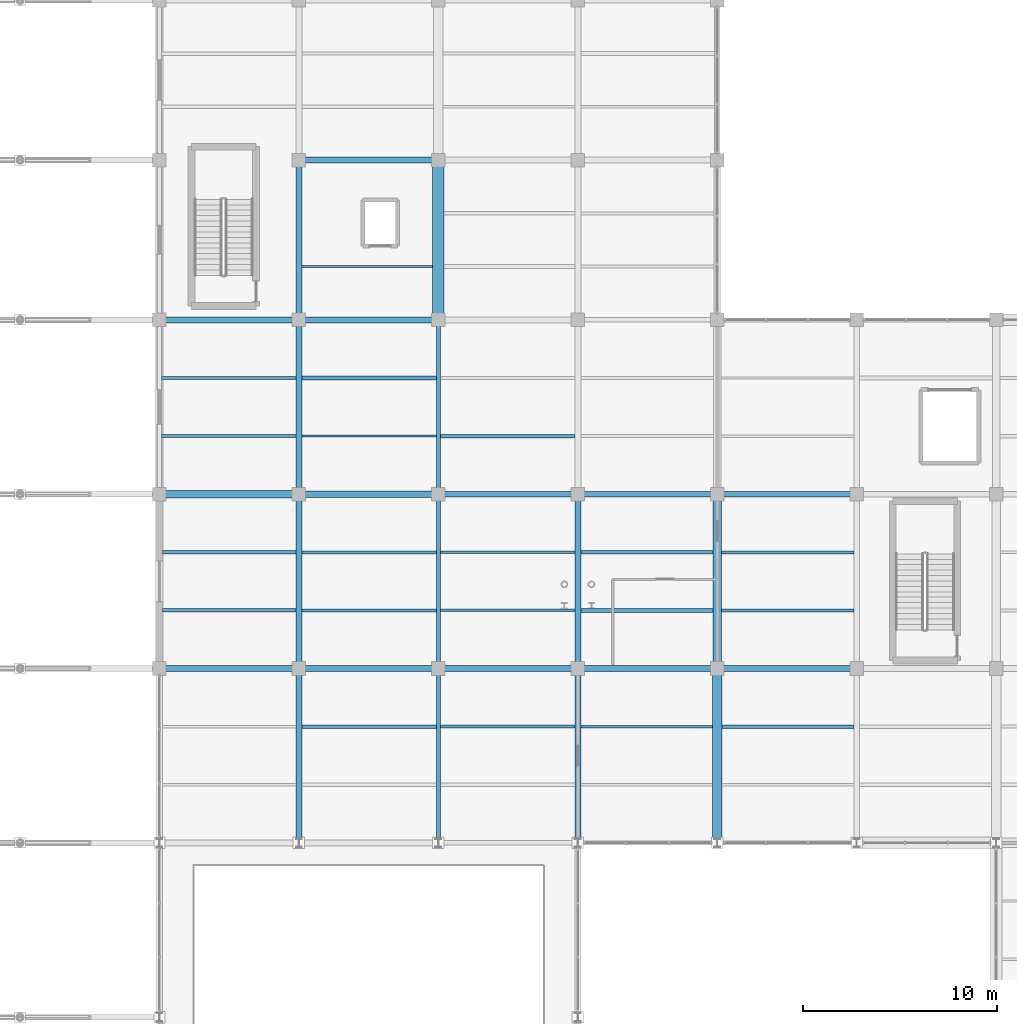
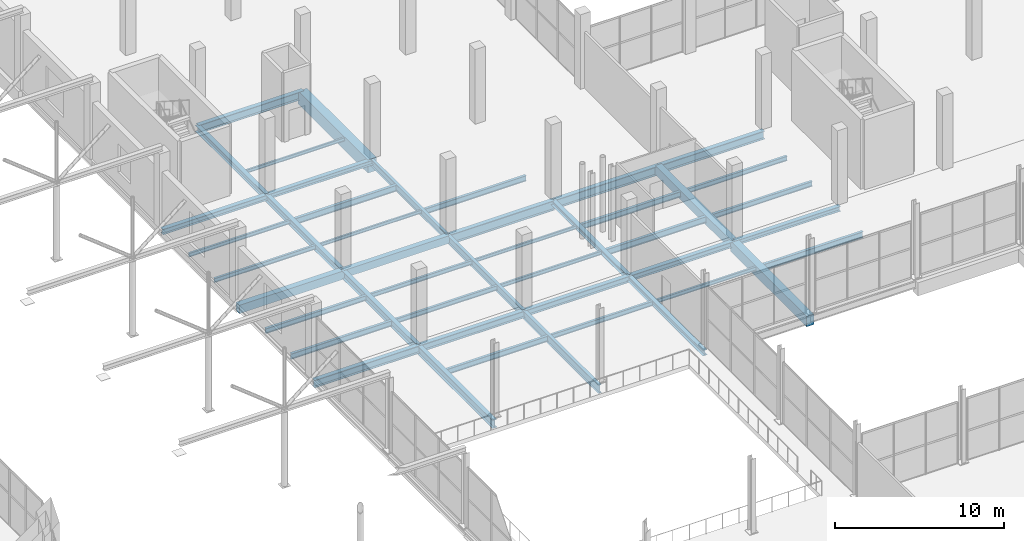
# One storey, part 63 of 147: 45 beams.
"""IFC4 building model written with IfcOpenShell, lengths in metres."""

from ifc_helpers import new_model, si_unit, direction, frame, origin, origin_2d, place, context, subcontext, project, spatial, rectangle, i_section, extrude, material, material_profile, profile_set, type_object, element, save


model = new_model("IFC4")

# Units and contexts
model_context = context("Model", 3, precision=1e-05, world=origin(), true_north=direction((0.0, 1.0)))
body_context = subcontext(model_context, "Body", "Model", "MODEL_VIEW")
ifc_project = project(units=[si_unit("LENGTHUNIT", "METRE"), si_unit("AREAUNIT", "SQUARE_METRE"), si_unit("VOLUMEUNIT", "CUBIC_METRE"), si_unit("PLANEANGLEUNIT", "RADIAN"), si_unit("MASSUNIT", "GRAM", prefix="KILO")], contexts=[model_context])

# Site, building, storey
site_placement = place(None, origin())
site = spatial("IfcSite", under=ifc_project, at=site_placement, CompositionType="ELEMENT")
building_placement = place(site_placement, origin())
building = spatial("IfcBuilding", under=site, at=building_placement, Name="Sundgate Opera House", CompositionType="ELEMENT")
storey_placement = place(building_placement, frame((0.0, 0.0, 6.0)))
storey = spatial("IfcBuildingStorey", under=building, at=storey_placement, Name="L01", CompositionType="ELEMENT", Elevation=6.0)

# Beams
ifc_material_1 = material(Name="Steel S355J2", Category="steel")
ifc_material_profile_1 = material_profile(ifc_material_1, i_section(OverallWidth=0.300048828125, OverallDepth=0.35009765625, WebThickness=0.010009765625, FlangeThickness=0.017578125, at=origin_2d()), Name="HEA 360")
ifc_profile_set_1 = profile_set([ifc_material_profile_1], Name="Steel S355J2")
beam_type_1 = type_object("IfcBeamType", Name="BM-GR-HEA360", PredefinedType="BEAM", material=ifc_profile_set_1)
beam_1_placement = place(storey_placement, frame((102.60009765625, 87.0, -0.47509765625), z_axis=(1.0, 0.0, 0.0), x_axis=(0.0, 1.0, 0.0)))
element("IfcBeam", 1, at=beam_1_placement, inside=storey, type_object=beam_type_1, Name="L01 Primary E-W Girder B1392", PredefinedType="BEAM", context=body_context, shape_type="SweptSolid", body=[
    extrude(i_section(OverallWidth=0.300048828125, OverallDepth=0.35009765625, WebThickness=0.010009765625, FlangeThickness=0.017578125, at=origin_2d()), origin(), (0.0, 0.0, 1.0), 7.199951171875),
])
ifc_material_2 = material(Name="Steel S355J2", Category="steel")
ifc_material_profile_2 = material_profile(ifc_material_2, i_section(OverallWidth=0.300048828125, OverallDepth=0.389892578125, WebThickness=0.010986328125, FlangeThickness=0.01904296875, at=origin_2d()), Name="HEA 400")
ifc_profile_set_2 = profile_set([ifc_material_profile_2], Name="Steel S355J2")
beam_type_2 = type_object("IfcBeamType", Name="BM-GR-HEA400", PredefinedType="BEAM", material=ifc_profile_set_2)
beam_2_placement = place(storey_placement, frame((95.39990234375, 87.0, -0.4951171875), z_axis=(1.0, 0.0, 0.0), x_axis=(0.0, 1.0, 0.0)))
element("IfcBeam", 2, at=beam_2_placement, inside=storey, type_object=beam_type_2, Name="L01 Primary E-W Girder B1391", PredefinedType="BEAM", context=body_context, shape_type="SweptSolid", body=[
    extrude(i_section(OverallWidth=0.300048828125, OverallDepth=0.389892578125, WebThickness=0.010986328125, FlangeThickness=0.01904296875, at=origin_2d()), origin(), (0.0, 0.0, 1.0), 7.2001953125),
])
ifc_material_3 = material(Name="Steel S355J2", Category="steel")
ifc_material_profile_3 = material_profile(ifc_material_3, i_section(OverallWidth=0.300048828125, OverallDepth=0.590087890625, WebThickness=0.012939453125, FlangeThickness=0.02490234375, at=origin_2d()), Name="HEA 600")
ifc_profile_set_3 = profile_set([ifc_material_profile_3], Name="Steel S355J2")
beam_type_3 = type_object("IfcBeamType", Name="BM-GR-HEA600", PredefinedType="BEAM", material=ifc_profile_set_3)
beam_3_placement = place(storey_placement, frame((102.60009765625, 95.25, -0.594970703125), z_axis=(1.0, 0.0, 0.0), x_axis=(0.0, 1.0, 0.0)))
element("IfcBeam", 3, at=beam_3_placement, inside=storey, type_object=beam_type_3, Name="L01 Primary E-W Girder B1410", PredefinedType="BEAM", context=body_context, shape_type="SweptSolid", body=[
    extrude(i_section(OverallWidth=0.300048828125, OverallDepth=0.590087890625, WebThickness=0.012939453125, FlangeThickness=0.02490234375, at=origin_2d()), origin(), (0.0, 0.0, 1.0), 7.199951171875),
])
ifc_material_4 = material(Name="Steel S355J2", Category="steel")
ifc_material_profile_4 = material_profile(ifc_material_4, i_section(OverallWidth=0.300048828125, OverallDepth=0.360107421875, WebThickness=0.012451171875, FlangeThickness=0.0224609375, at=origin_2d()), Name="HEB 360")
ifc_profile_set_4 = profile_set([ifc_material_profile_4], Name="Steel S355J2")
beam_type_4 = type_object("IfcBeamType", Name="BM-GR-HEB360", PredefinedType="BEAM", material=ifc_profile_set_4)
beam_4_placement = place(storey_placement, frame((117.0, 69.0, -0.47998046875), z_axis=(0.0, 1.0, 0.0), x_axis=(-1.0, 0.0, 0.0)))
element("IfcBeam", 4, at=beam_4_placement, inside=storey, type_object=beam_type_4, Name="L01 Primary N-S Girder B1189", PredefinedType="BEAM", context=body_context, shape_type="SweptSolid", body=[
    extrude(i_section(OverallWidth=0.300048828125, OverallDepth=0.360107421875, WebThickness=0.012451171875, FlangeThickness=0.0224609375, at=origin_2d()), origin(), (0.0, 0.0, 1.0), 9.0),
])
beam_5_placement = place(storey_placement, frame((124.199951171875, 69.0, -0.47998046875), z_axis=(1.0, 0.0, 0.0), x_axis=(0.0, 1.0, 0.0)))
element("IfcBeam", 5, at=beam_5_placement, inside=storey, type_object=beam_type_4, Name="L01 Primary E-W Girder B1365", PredefinedType="BEAM", context=body_context, shape_type="SweptSolid", body=[
    extrude(i_section(OverallWidth=0.300048828125, OverallDepth=0.360107421875, WebThickness=0.012451171875, FlangeThickness=0.0224609375, at=origin_2d()), origin(), (0.0, 0.0, 1.0), 7.199951171875),
])
ifc_material_5 = material(Name="Steel S355J2", Category="steel")
ifc_material_profile_5 = material_profile(ifc_material_5, i_section(OverallWidth=0.300048828125, OverallDepth=0.39990234375, WebThickness=0.013427734375, FlangeThickness=0.02392578125, at=origin_2d()), Name="HEB 400")
ifc_profile_set_5 = profile_set([ifc_material_profile_5], Name="Steel S355J2")
beam_type_5 = type_object("IfcBeamType", Name="BM-GR-HEB400", PredefinedType="BEAM", material=ifc_profile_set_5)
beam_6_placement = place(storey_placement, frame((117.0, 60.0, -0.5), z_axis=(0.0, 1.0, 0.0), x_axis=(-1.0, 0.0, 0.0)))
element("IfcBeam", 6, at=beam_6_placement, inside=storey, type_object=beam_type_5, Name="L01 Primary N-S Girder B1188", PredefinedType="BEAM", context=body_context, shape_type="SweptSolid", body=[
    extrude(i_section(OverallWidth=0.300048828125, OverallDepth=0.39990234375, WebThickness=0.013427734375, FlangeThickness=0.02392578125, at=origin_2d()), origin(), (0.0, 0.0, 1.0), 9.0),
])
beam_7_placement = place(storey_placement, frame((117.0, 69.0, -0.5), z_axis=(1.0, 0.0, 0.0), x_axis=(0.0, 1.0, 0.0)))
element("IfcBeam", 7, at=beam_7_placement, inside=storey, type_object=beam_type_5, Name="L01 Primary E-W Girder B1364", PredefinedType="BEAM", context=body_context, shape_type="SweptSolid", body=[
    extrude(i_section(OverallWidth=0.300048828125, OverallDepth=0.39990234375, WebThickness=0.013427734375, FlangeThickness=0.02392578125, at=origin_2d()), origin(), (0.0, 0.0, 1.0), 7.199951171875),
])
ifc_material_6 = material(Name="Steel S355J2", Category="steel")
ifc_material_profile_6 = material_profile(ifc_material_6, i_section(OverallWidth=0.300048828125, OverallDepth=0.449951171875, WebThickness=0.013916015625, FlangeThickness=0.02587890625, at=origin_2d()), Name="HEB 450")
ifc_profile_set_6 = profile_set([ifc_material_profile_6], Name="Steel S355J2")
beam_type_6 = type_object("IfcBeamType", Name="BM-GR-HEB450", PredefinedType="BEAM", material=ifc_profile_set_6)
beam_8_placement = place(storey_placement, frame((102.60009765625, 87.0, -0.52490234375), z_axis=(0.0, 1.0, 0.0), x_axis=(-1.0, 0.0, 0.0)))
element("IfcBeam", 8, at=beam_8_placement, inside=storey, type_object=beam_type_6, Name="L01 Primary N-S Girder B1165", PredefinedType="BEAM", context=body_context, shape_type="SweptSolid", body=[
    extrude(i_section(OverallWidth=0.300048828125, OverallDepth=0.449951171875, WebThickness=0.013916015625, FlangeThickness=0.02587890625, at=origin_2d()), origin(), (0.0, 0.0, 1.0), 8.25),
])
beam_9_placement = place(storey_placement, frame((109.800048828125, 69.0, -0.52490234375), z_axis=(1.0, 0.0, 0.0), x_axis=(0.0, 1.0, 0.0)))
element("IfcBeam", 9, at=beam_9_placement, inside=storey, type_object=beam_type_6, Name="L01 Primary E-W Girder B1363", PredefinedType="BEAM", context=body_context, shape_type="SweptSolid", body=[
    extrude(i_section(OverallWidth=0.300048828125, OverallDepth=0.449951171875, WebThickness=0.013916015625, FlangeThickness=0.02587890625, at=origin_2d()), origin(), (0.0, 0.0, 1.0), 7.199951171875),
])
ifc_material_7 = material(Name="Steel S355J2", Category="steel")
ifc_material_profile_7 = material_profile(ifc_material_7, i_section(OverallWidth=0.300048828125, OverallDepth=0.5, WebThickness=0.014404296875, FlangeThickness=0.028076171875, at=origin_2d()), Name="HEB 500")
ifc_profile_set_7 = profile_set([ifc_material_profile_7], Name="Steel S355J2")
beam_type_7 = type_object("IfcBeamType", Name="BM-GR-HEB500", PredefinedType="BEAM", material=ifc_profile_set_7)
beam_10_placement = place(storey_placement, frame((102.60009765625, 78.0, -0.550048828125), z_axis=(0.0, 1.0, 0.0), x_axis=(-1.0, 0.0, 0.0)))
element("IfcBeam", 10, at=beam_10_placement, inside=storey, type_object=beam_type_7, Name="L01 Primary N-S Girder B1164", PredefinedType="BEAM", context=body_context, shape_type="SweptSolid", body=[
    extrude(i_section(OverallWidth=0.300048828125, OverallDepth=0.5, WebThickness=0.014404296875, FlangeThickness=0.028076171875, at=origin_2d()), origin(), (0.0, 0.0, 1.0), 9.0),
])
beam_11_placement = place(storey_placement, frame((102.60009765625, 69.0, -0.550048828125), z_axis=(1.0, 0.0, 0.0), x_axis=(0.0, 1.0, 0.0)))
element("IfcBeam", 11, at=beam_11_placement, inside=storey, type_object=beam_type_7, Name="L01 Primary E-W Girder B1362", PredefinedType="BEAM", context=body_context, shape_type="SweptSolid", body=[
    extrude(i_section(OverallWidth=0.300048828125, OverallDepth=0.5, WebThickness=0.014404296875, FlangeThickness=0.028076171875, at=origin_2d()), origin(), (0.0, 0.0, 1.0), 7.199951171875),
])
ifc_material_8 = material(Name="Steel S355J2", Category="steel")
ifc_material_profile_8 = material_profile(ifc_material_8, i_section(OverallWidth=0.300048828125, OverallDepth=0.550048828125, WebThickness=0.014892578125, FlangeThickness=0.029052734375, at=origin_2d()), Name="HEB 550")
ifc_profile_set_8 = profile_set([ifc_material_profile_8], Name="Steel S355J2")
beam_type_8 = type_object("IfcBeamType", Name="BM-GR-HEB550", PredefinedType="BEAM", material=ifc_profile_set_8)
beam_12_placement = place(storey_placement, frame((102.60009765625, 69.0, -0.574951171875), z_axis=(0.0, 1.0, 0.0), x_axis=(-1.0, 0.0, 0.0)))
element("IfcBeam", 12, at=beam_12_placement, inside=storey, type_object=beam_type_8, Name="L01 Primary N-S Girder B1163", PredefinedType="BEAM", context=body_context, shape_type="SweptSolid", body=[
    extrude(i_section(OverallWidth=0.300048828125, OverallDepth=0.550048828125, WebThickness=0.014892578125, FlangeThickness=0.029052734375, at=origin_2d()), origin(), (0.0, 0.0, 1.0), 9.0),
])
beam_13_placement = place(storey_placement, frame((95.39990234375, 69.0, -0.574951171875), z_axis=(1.0, 0.0, 0.0), x_axis=(0.0, 1.0, 0.0)))
element("IfcBeam", 13, at=beam_13_placement, inside=storey, type_object=beam_type_8, Name="L01 Primary E-W Girder B1361", PredefinedType="BEAM", context=body_context, shape_type="SweptSolid", body=[
    extrude(i_section(OverallWidth=0.300048828125, OverallDepth=0.550048828125, WebThickness=0.014892578125, FlangeThickness=0.029052734375, at=origin_2d()), origin(), (0.0, 0.0, 1.0), 7.2001953125),
])
ifc_material_9 = material(Name="Steel S355J2", Category="steel")
ifc_material_profile_9 = material_profile(ifc_material_9, i_section(OverallWidth=0.300048828125, OverallDepth=0.60009765625, WebThickness=0.015380859375, FlangeThickness=0.030029296875, at=origin_2d()), Name="HEB 600")
ifc_profile_set_9 = profile_set([ifc_material_profile_9], Name="Steel S355J2")
beam_type_9 = type_object("IfcBeamType", Name="BM-GR-HEB600", PredefinedType="BEAM", material=ifc_profile_set_9)
beam_14_placement = place(storey_placement, frame((102.60009765625, 60.0, -0.60009765625), z_axis=(0.0, 1.0, 0.0), x_axis=(-1.0, 0.0, 0.0)))
element("IfcBeam", 14, at=beam_14_placement, inside=storey, type_object=beam_type_9, Name="L01 Primary N-S Girder B1162", PredefinedType="BEAM", context=body_context, shape_type="SweptSolid", body=[
    extrude(i_section(OverallWidth=0.300048828125, OverallDepth=0.60009765625, WebThickness=0.015380859375, FlangeThickness=0.030029296875, at=origin_2d()), origin(), (0.0, 0.0, 1.0), 9.0),
])
beam_15_placement = place(storey_placement, frame((124.199951171875, 78.0, -0.60009765625), z_axis=(1.0, 0.0, 0.0), x_axis=(0.0, 1.0, 0.0)))
element("IfcBeam", 15, at=beam_15_placement, inside=storey, type_object=beam_type_9, Name="L01 Primary E-W Girder B1382", PredefinedType="BEAM", context=body_context, shape_type="SweptSolid", body=[
    extrude(i_section(OverallWidth=0.300048828125, OverallDepth=0.60009765625, WebThickness=0.015380859375, FlangeThickness=0.030029296875, at=origin_2d()), origin(), (0.0, 0.0, 1.0), 7.199951171875),
])
ifc_material_10 = material(Name="Steel S355J2", Category="steel")
ifc_material_profile_10 = material_profile(ifc_material_10, i_section(OverallWidth=0.300048828125, OverallDepth=0.64990234375, WebThickness=0.01611328125, FlangeThickness=0.031005859375, at=origin_2d()), Name="HEB 650")
ifc_profile_set_10 = profile_set([ifc_material_profile_10], Name="Steel S355J2")
beam_type_10 = type_object("IfcBeamType", Name="BM-GR-HEB650", PredefinedType="BEAM", material=ifc_profile_set_10)
beam_16_placement = place(storey_placement, frame((117.0, 78.0, -0.625), z_axis=(1.0, 0.0, 0.0), x_axis=(0.0, 1.0, 0.0)))
element("IfcBeam", 16, at=beam_16_placement, inside=storey, type_object=beam_type_10, Name="L01 Primary E-W Girder B1381", PredefinedType="BEAM", context=body_context, shape_type="SweptSolid", body=[
    extrude(i_section(OverallWidth=0.300048828125, OverallDepth=0.64990234375, WebThickness=0.01611328125, FlangeThickness=0.031005859375, at=origin_2d()), origin(), (0.0, 0.0, 1.0), 7.199951171875),
])
ifc_material_11 = material(Name="Steel S355J2", Category="steel")
ifc_material_profile_11 = material_profile(ifc_material_11, i_section(OverallWidth=0.300048828125, OverallDepth=0.699951171875, WebThickness=0.01708984375, FlangeThickness=0.031982421875, at=origin_2d()), Name="HEB 700")
ifc_profile_set_11 = profile_set([ifc_material_profile_11], Name="Steel S355J2")
beam_type_11 = type_object("IfcBeamType", Name="BM-GR-HEB700", PredefinedType="BEAM", material=ifc_profile_set_11)
beam_17_placement = place(storey_placement, frame((109.800048828125, 78.0, -0.64990234375), z_axis=(1.0, 0.0, 0.0), x_axis=(0.0, 1.0, 0.0)))
element("IfcBeam", 17, at=beam_17_placement, inside=storey, type_object=beam_type_11, Name="L01 Primary E-W Girder B1380", PredefinedType="BEAM", context=body_context, shape_type="SweptSolid", body=[
    extrude(i_section(OverallWidth=0.300048828125, OverallDepth=0.699951171875, WebThickness=0.01708984375, FlangeThickness=0.031982421875, at=origin_2d()), origin(), (0.0, 0.0, 1.0), 7.199951171875),
])
ifc_material_12 = material(Name="Steel S355J2", Category="steel")
ifc_material_profile_12 = material_profile(ifc_material_12, i_section(OverallWidth=0.199951171875, OverallDepth=0.5, WebThickness=0.01025390625, FlangeThickness=0.01611328125, at=origin_2d()), Name="IPE 500")
ifc_profile_set_12 = profile_set([ifc_material_profile_12], Name="Steel S355J2")
beam_type_12 = type_object("IfcBeamType", Name="BM-GR-IPE500", PredefinedType="BEAM", material=ifc_profile_set_12)
beam_18_placement = place(storey_placement, frame((109.800048828125, 78.0, -0.550048828125), z_axis=(0.0, 1.0, 0.0), x_axis=(-1.0, 0.0, 0.0)))
element("IfcBeam", 18, at=beam_18_placement, inside=storey, type_object=beam_type_12, Name="L01 Primary N-S Girder B1176", PredefinedType="BEAM", context=body_context, shape_type="SweptSolid", body=[
    extrude(i_section(OverallWidth=0.199951171875, OverallDepth=0.5, WebThickness=0.01025390625, FlangeThickness=0.01611328125, at=origin_2d()), origin(), (0.0, 0.0, 1.0), 9.0),
])
ifc_material_13 = material(Name="Steel S355J2", Category="steel")
ifc_material_profile_13 = material_profile(ifc_material_13, i_section(OverallWidth=0.2099609375, OverallDepth=0.550048828125, WebThickness=0.010986328125, FlangeThickness=0.01708984375, at=origin_2d()), Name="IPE 550")
ifc_profile_set_13 = profile_set([ifc_material_profile_13], Name="Steel S355J2")
beam_type_13 = type_object("IfcBeamType", Name="BM-GR-IPE550", PredefinedType="BEAM", material=ifc_profile_set_13)
beam_19_placement = place(storey_placement, frame((109.800048828125, 69.0, -0.574951171875), z_axis=(0.0, 1.0, 0.0), x_axis=(-1.0, 0.0, 0.0)))
element("IfcBeam", 19, at=beam_19_placement, inside=storey, type_object=beam_type_13, Name="L01 Primary N-S Girder B1175", PredefinedType="BEAM", context=body_context, shape_type="SweptSolid", body=[
    extrude(i_section(OverallWidth=0.2099609375, OverallDepth=0.550048828125, WebThickness=0.010986328125, FlangeThickness=0.01708984375, at=origin_2d()), origin(), (0.0, 0.0, 1.0), 9.0),
])
ifc_material_14 = material(Name="Steel S355J2", Category="steel")
ifc_material_profile_14 = material_profile(ifc_material_14, i_section(OverallWidth=0.219970703125, OverallDepth=0.60009765625, WebThickness=0.011962890625, FlangeThickness=0.01904296875, at=origin_2d()), Name="IPE 600")
ifc_profile_set_14 = profile_set([ifc_material_profile_14], Name="Steel S355J2")
beam_type_14 = type_object("IfcBeamType", Name="BM-GR-IPE600", PredefinedType="BEAM", material=ifc_profile_set_14)
beam_20_placement = place(storey_placement, frame((109.800048828125, 60.0, -0.60009765625), z_axis=(0.0, 1.0, 0.0), x_axis=(-1.0, 0.0, 0.0)))
element("IfcBeam", 20, at=beam_20_placement, inside=storey, type_object=beam_type_14, Name="L01 Primary N-S Girder B1174", PredefinedType="BEAM", context=body_context, shape_type="SweptSolid", body=[
    extrude(i_section(OverallWidth=0.219970703125, OverallDepth=0.60009765625, WebThickness=0.011962890625, FlangeThickness=0.01904296875, at=origin_2d()), origin(), (0.0, 0.0, 1.0), 9.0),
])
ifc_material_15 = material(Name="Steel S355J2", Category="steel")
ifc_material_profile_15 = material_profile(ifc_material_15, i_section(OverallWidth=0.1201171875, OverallDepth=0.239990234375, WebThickness=0.006103515625, FlangeThickness=0.009765625, at=origin_2d()), Name="IPE 240")
ifc_profile_set_15 = profile_set([ifc_material_profile_15], Name="Steel S355J2")
beam_type_15 = type_object("IfcBeamType", Name="BM-JS-IPE240", PredefinedType="JOIST", material=ifc_profile_set_15)
beam_21_placement = place(storey_placement, frame((109.905029296875, 75.0, -0.419921875), z_axis=(1.0, 0.0, 0.0), x_axis=(0.0, 1.0, 0.0)))
element("IfcBeam", 21, at=beam_21_placement, inside=storey, type_object=beam_type_15, Name="L01 Secondary Floor Joist B1623", PredefinedType="JOIST", context=body_context, shape_type="SweptSolid", body=[
    extrude(i_section(OverallWidth=0.1201171875, OverallDepth=0.239990234375, WebThickness=0.006103515625, FlangeThickness=0.009765625, at=origin_2d()), origin(), (0.0, 0.0, 1.0), 6.945068359375),
])
beam_22_placement = place(storey_placement, frame((102.75, 81.0, -0.419921875), z_axis=(1.0, 0.0, 0.0), x_axis=(0.0, 1.0, 0.0)))
element("IfcBeam", 22, at=beam_22_placement, inside=storey, type_object=beam_type_15, Name="L01 Secondary Floor Joist B1644", PredefinedType="JOIST", context=body_context, shape_type="SweptSolid", body=[
    extrude(i_section(OverallWidth=0.1201171875, OverallDepth=0.239990234375, WebThickness=0.006103515625, FlangeThickness=0.009765625, at=origin_2d()), origin(), (0.0, 0.0, 1.0), 6.949951171875),
])
beam_23_placement = place(storey_placement, frame((102.75, 89.75, -0.419921875), z_axis=(1.0, 0.0, 0.0), x_axis=(0.0, 1.0, 0.0)))
element("IfcBeam", 23, at=beam_23_placement, inside=storey, type_object=beam_type_15, Name="L01 Secondary Floor Joist B1665", PredefinedType="JOIST", context=body_context, shape_type="SweptSolid", body=[
    extrude(i_section(OverallWidth=0.1201171875, OverallDepth=0.239990234375, WebThickness=0.006103515625, FlangeThickness=0.009765625, at=origin_2d()), origin(), (0.0, 0.0, 1.0), 6.75),
])
ifc_material_16 = material(Name="Steel S355J2", Category="steel")
ifc_material_profile_16 = material_profile(ifc_material_16, i_section(OverallWidth=0.135009765625, OverallDepth=0.27001953125, WebThickness=0.006591796875, FlangeThickness=0.01025390625, at=origin_2d()), Name="IPE 270")
ifc_profile_set_16 = profile_set([ifc_material_profile_16], Name="Steel S355J2")
beam_type_16 = type_object("IfcBeamType", Name="BM-JS-IPE270", PredefinedType="JOIST", material=ifc_profile_set_16)
beam_24_placement = place(storey_placement, frame((117.14990234375, 66.0, -0.43505859375), z_axis=(1.0, 0.0, 0.0), x_axis=(0.0, 1.0, 0.0)))
element("IfcBeam", 24, at=beam_24_placement, inside=storey, type_object=beam_type_16, Name="L01 Secondary Floor Joist B1601", PredefinedType="JOIST", context=body_context, shape_type="SweptSolid", body=[
    extrude(i_section(OverallWidth=0.135009765625, OverallDepth=0.27001953125, WebThickness=0.006591796875, FlangeThickness=0.01025390625, at=origin_2d()), origin(), (0.0, 0.0, 1.0), 6.800048828125),
])
beam_25_placement = place(storey_placement, frame((109.905029296875, 72.0, -0.43505859375), z_axis=(1.0, 0.0, 0.0), x_axis=(0.0, 1.0, 0.0)))
element("IfcBeam", 25, at=beam_25_placement, inside=storey, type_object=beam_type_16, Name="L01 Secondary Floor Joist B1622", PredefinedType="JOIST", context=body_context, shape_type="SweptSolid", body=[
    extrude(i_section(OverallWidth=0.135009765625, OverallDepth=0.27001953125, WebThickness=0.006591796875, FlangeThickness=0.01025390625, at=origin_2d()), origin(), (0.0, 0.0, 1.0), 6.945068359375),
])
beam_26_placement = place(storey_placement, frame((95.510009765625, 84.0, -0.43505859375), z_axis=(1.0, 0.0, 0.0), x_axis=(0.0, 1.0, 0.0)))
element("IfcBeam", 26, at=beam_26_placement, inside=storey, type_object=beam_type_16, Name="L01 Secondary Floor Joist B1643", PredefinedType="JOIST", context=body_context, shape_type="SweptSolid", body=[
    extrude(i_section(OverallWidth=0.135009765625, OverallDepth=0.27001953125, WebThickness=0.006591796875, FlangeThickness=0.01025390625, at=origin_2d()), origin(), (0.0, 0.0, 1.0), 6.93994140625),
])
ifc_material_17 = material(Name="Steel S355J2", Category="steel")
ifc_material_profile_17 = material_profile(ifc_material_17, i_section(OverallWidth=0.14990234375, OverallDepth=0.300048828125, WebThickness=0.007080078125, FlangeThickness=0.0107421875, at=origin_2d()), Name="IPE 300")
ifc_profile_set_17 = profile_set([ifc_material_profile_17], Name="Steel S355J2")
beam_type_17 = type_object("IfcBeamType", Name="BM-JS-IPE300", PredefinedType="JOIST", material=ifc_profile_set_17)
beam_27_placement = place(storey_placement, frame((102.75, 75.0, -0.449951171875), z_axis=(1.0, 0.0, 0.0), x_axis=(0.0, 1.0, 0.0)))
element("IfcBeam", 27, at=beam_27_placement, inside=storey, type_object=beam_type_17, Name="L01 Secondary Floor Joist B1621", PredefinedType="JOIST", context=body_context, shape_type="SweptSolid", body=[
    extrude(i_section(OverallWidth=0.14990234375, OverallDepth=0.300048828125, WebThickness=0.007080078125, FlangeThickness=0.0107421875, at=origin_2d()), origin(), (0.0, 0.0, 1.0), 6.945068359375),
])
beam_28_placement = place(storey_placement, frame((95.510009765625, 81.0, -0.449951171875), z_axis=(1.0, 0.0, 0.0), x_axis=(0.0, 1.0, 0.0)))
element("IfcBeam", 28, at=beam_28_placement, inside=storey, type_object=beam_type_17, Name="L01 Secondary Floor Joist B1642", PredefinedType="JOIST", context=body_context, shape_type="SweptSolid", body=[
    extrude(i_section(OverallWidth=0.14990234375, OverallDepth=0.300048828125, WebThickness=0.007080078125, FlangeThickness=0.0107421875, at=origin_2d()), origin(), (0.0, 0.0, 1.0), 6.93994140625),
])
ifc_material_18 = material(Name="Steel S355J2", Category="steel")
ifc_material_profile_18 = material_profile(ifc_material_18, i_section(OverallWidth=0.159912109375, OverallDepth=0.330078125, WebThickness=0.007568359375, FlangeThickness=0.011474609375, at=origin_2d()), Name="IPE 330")
ifc_profile_set_18 = profile_set([ifc_material_profile_18], Name="Steel S355J2")
beam_type_18 = type_object("IfcBeamType", Name="BM-JS-IPE330", PredefinedType="JOIST", material=ifc_profile_set_18)
beam_29_placement = place(storey_placement, frame((109.909912109375, 66.0, -0.465087890625), z_axis=(1.0, 0.0, 0.0), x_axis=(0.0, 1.0, 0.0)))
element("IfcBeam", 29, at=beam_29_placement, inside=storey, type_object=beam_type_18, Name="L01 Secondary Floor Joist B1599", PredefinedType="JOIST", context=body_context, shape_type="SweptSolid", body=[
    extrude(i_section(OverallWidth=0.159912109375, OverallDepth=0.330078125, WebThickness=0.007568359375, FlangeThickness=0.011474609375, at=origin_2d()), origin(), (0.0, 0.0, 1.0), 6.940185546875),
])
beam_30_placement = place(storey_placement, frame((102.75, 72.0, -0.465087890625), z_axis=(1.0, 0.0, 0.0), x_axis=(0.0, 1.0, 0.0)))
element("IfcBeam", 30, at=beam_30_placement, inside=storey, type_object=beam_type_18, Name="L01 Secondary Floor Joist B1620", PredefinedType="JOIST", context=body_context, shape_type="SweptSolid", body=[
    extrude(i_section(OverallWidth=0.159912109375, OverallDepth=0.330078125, WebThickness=0.007568359375, FlangeThickness=0.011474609375, at=origin_2d()), origin(), (0.0, 0.0, 1.0), 6.945068359375),
])
beam_31_placement = place(storey_placement, frame((124.425048828125, 75.0, -0.465087890625), z_axis=(1.0, 0.0, 0.0), x_axis=(0.0, 1.0, 0.0)))
element("IfcBeam", 31, at=beam_31_placement, inside=storey, type_object=beam_type_18, Name="L01 Secondary Floor Joist B1627", PredefinedType="JOIST", context=body_context, shape_type="SweptSolid", body=[
    extrude(i_section(OverallWidth=0.159912109375, OverallDepth=0.330078125, WebThickness=0.007568359375, FlangeThickness=0.011474609375, at=origin_2d()), origin(), (0.0, 0.0, 1.0), 6.824951171875),
])
ifc_material_19 = material(Name="Steel S355J2", Category="steel")
ifc_material_profile_19 = material_profile(ifc_material_19, i_section(OverallWidth=0.169921875, OverallDepth=0.360107421875, WebThickness=0.008056640625, FlangeThickness=0.0126953125, at=origin_2d()), Name="IPE 360")
ifc_profile_set_19 = profile_set([ifc_material_profile_19], Name="Steel S355J2")
beam_type_19 = type_object("IfcBeamType", Name="BM-JS-IPE360", PredefinedType="JOIST", material=ifc_profile_set_19)
beam_32_placement = place(storey_placement, frame((95.550048828125, 75.0, -0.47998046875), z_axis=(1.0, 0.0, 0.0), x_axis=(0.0, 1.0, 0.0)))
element("IfcBeam", 32, at=beam_32_placement, inside=storey, type_object=beam_type_19, Name="L01 Secondary Floor Joist B1619", PredefinedType="JOIST", context=body_context, shape_type="SweptSolid", body=[
    extrude(i_section(OverallWidth=0.169921875, OverallDepth=0.360107421875, WebThickness=0.008056640625, FlangeThickness=0.0126953125, at=origin_2d()), origin(), (0.0, 0.0, 1.0), 6.89990234375),
])
beam_33_placement = place(storey_placement, frame((124.425048828125, 72.0, -0.47998046875), z_axis=(1.0, 0.0, 0.0), x_axis=(0.0, 1.0, 0.0)))
element("IfcBeam", 33, at=beam_33_placement, inside=storey, type_object=beam_type_19, Name="L01 Secondary Floor Joist B1626", PredefinedType="JOIST", context=body_context, shape_type="SweptSolid", body=[
    extrude(i_section(OverallWidth=0.169921875, OverallDepth=0.360107421875, WebThickness=0.008056640625, FlangeThickness=0.0126953125, at=origin_2d()), origin(), (0.0, 0.0, 1.0), 6.824951171875),
])
ifc_material_20 = material(Name="Steel S355J2", Category="steel")
ifc_material_profile_20 = material_profile(ifc_material_20, i_section(OverallWidth=0.179931640625, OverallDepth=0.39990234375, WebThickness=0.008544921875, FlangeThickness=0.013427734375, at=origin_2d()), Name="IPE 400")
ifc_profile_set_20 = profile_set([ifc_material_profile_20], Name="Steel S355J2")
beam_type_20 = type_object("IfcBeamType", Name="BM-JS-IPE400", PredefinedType="JOIST", material=ifc_profile_set_20)
beam_34_placement = place(storey_placement, frame((102.75, 66.0, -0.5), z_axis=(1.0, 0.0, 0.0), x_axis=(0.0, 1.0, 0.0)))
element("IfcBeam", 34, at=beam_34_placement, inside=storey, type_object=beam_type_20, Name="L01 Secondary Floor Joist B1597", PredefinedType="JOIST", context=body_context, shape_type="SweptSolid", body=[
    extrude(i_section(OverallWidth=0.179931640625, OverallDepth=0.39990234375, WebThickness=0.008544921875, FlangeThickness=0.013427734375, at=origin_2d()), origin(), (0.0, 0.0, 1.0), 6.93994140625),
])
beam_35_placement = place(storey_placement, frame((95.550048828125, 72.0, -0.5), z_axis=(1.0, 0.0, 0.0), x_axis=(0.0, 1.0, 0.0)))
element("IfcBeam", 35, at=beam_35_placement, inside=storey, type_object=beam_type_20, Name="L01 Secondary Floor Joist B1618", PredefinedType="JOIST", context=body_context, shape_type="SweptSolid", body=[
    extrude(i_section(OverallWidth=0.179931640625, OverallDepth=0.39990234375, WebThickness=0.008544921875, FlangeThickness=0.013427734375, at=origin_2d()), origin(), (0.0, 0.0, 1.0), 6.89990234375),
])
beam_36_placement = place(storey_placement, frame((117.14990234375, 75.0, -0.5), z_axis=(1.0, 0.0, 0.0), x_axis=(0.0, 1.0, 0.0)))
element("IfcBeam", 36, at=beam_36_placement, inside=storey, type_object=beam_type_20, Name="L01 Secondary Floor Joist B1625", PredefinedType="JOIST", context=body_context, shape_type="SweptSolid", body=[
    extrude(i_section(OverallWidth=0.179931640625, OverallDepth=0.39990234375, WebThickness=0.008544921875, FlangeThickness=0.013427734375, at=origin_2d()), origin(), (0.0, 0.0, 1.0), 6.8251953125),
])
beam_37_placement = place(storey_placement, frame((109.89990234375, 81.0, -0.5), z_axis=(1.0, 0.0, 0.0), x_axis=(0.0, 1.0, 0.0)))
element("IfcBeam", 37, at=beam_37_placement, inside=storey, type_object=beam_type_20, Name="L01 Secondary Floor Joist B1646", PredefinedType="JOIST", context=body_context, shape_type="SweptSolid", body=[
    extrude(i_section(OverallWidth=0.179931640625, OverallDepth=0.39990234375, WebThickness=0.008544921875, FlangeThickness=0.013427734375, at=origin_2d()), origin(), (0.0, 0.0, 1.0), 6.9501953125),
])
ifc_material_21 = material(Name="Steel S355J2", Category="steel")
ifc_material_profile_21 = material_profile(ifc_material_21, i_section(OverallWidth=0.18994140625, OverallDepth=0.449951171875, WebThickness=0.009521484375, FlangeThickness=0.0146484375, at=origin_2d()), Name="IPE 450")
ifc_profile_set_21 = profile_set([ifc_material_profile_21], Name="Steel S355J2")
beam_type_21 = type_object("IfcBeamType", Name="BM-JS-IPE450", PredefinedType="JOIST", material=ifc_profile_set_21)
beam_38_placement = place(storey_placement, frame((124.449951171875, 66.0, -0.52490234375), z_axis=(1.0, 0.0, 0.0), x_axis=(0.0, 1.0, 0.0)))
element("IfcBeam", 38, at=beam_38_placement, inside=storey, type_object=beam_type_21, Name="L01 Secondary Floor Joist B1603", PredefinedType="JOIST", context=body_context, shape_type="SweptSolid", body=[
    extrude(i_section(OverallWidth=0.18994140625, OverallDepth=0.449951171875, WebThickness=0.009521484375, FlangeThickness=0.0146484375, at=origin_2d()), origin(), (0.0, 0.0, 1.0), 6.800048828125),
])
beam_39_placement = place(storey_placement, frame((117.14990234375, 72.0, -0.52490234375), z_axis=(1.0, 0.0, 0.0), x_axis=(0.0, 1.0, 0.0)))
element("IfcBeam", 39, at=beam_39_placement, inside=storey, type_object=beam_type_21, Name="L01 Secondary Floor Joist B1624", PredefinedType="JOIST", context=body_context, shape_type="SweptSolid", body=[
    extrude(i_section(OverallWidth=0.18994140625, OverallDepth=0.449951171875, WebThickness=0.009521484375, FlangeThickness=0.0146484375, at=origin_2d()), origin(), (0.0, 0.0, 1.0), 6.8251953125),
])
beam_40_placement = place(storey_placement, frame((102.75, 84.0, -0.52490234375), z_axis=(1.0, 0.0, 0.0), x_axis=(0.0, 1.0, 0.0)))
element("IfcBeam", 40, at=beam_40_placement, inside=storey, type_object=beam_type_21, Name="L01 Secondary Floor Joist B1645", PredefinedType="JOIST", context=body_context, shape_type="SweptSolid", body=[
    extrude(i_section(OverallWidth=0.18994140625, OverallDepth=0.449951171875, WebThickness=0.009521484375, FlangeThickness=0.0146484375, at=origin_2d()), origin(), (0.0, 0.0, 1.0), 6.949951171875),
])
ifc_material_22 = material(Name="Concrete C35/45", Category="concrete")
ifc_material_profile_22 = material_profile(ifc_material_22, rectangle(XDim=0.35009765625, YDim=0.550048828125, at=origin_2d()), Name="RC 350x550")
ifc_profile_set_22 = profile_set([ifc_material_profile_22], Name="Concrete C35/45")
beam_type_22 = type_object("IfcBeamType", Name="BM-RC-350x550", PredefinedType="BEAM", material=ifc_profile_set_22)
beam_41_placement = place(storey_placement, frame((102.60009765625, 78.0, -0.574951171875), z_axis=(1.0, 0.0, 0.0), x_axis=(0.0, 1.0, 0.0)))
element("IfcBeam", 41, at=beam_41_placement, inside=storey, type_object=beam_type_22, Name="L01 Primary E-W Girder B1379", PredefinedType="BEAM", context=body_context, shape_type="SweptSolid", body=[
    extrude(rectangle(XDim=0.35009765625, YDim=0.550048828125, at=origin_2d()), origin(), (0.0, 0.0, 1.0), 7.199951171875),
])
ifc_material_23 = material(Name="Concrete C35/45", Category="concrete")
ifc_material_profile_23 = material_profile(ifc_material_23, rectangle(XDim=0.39990234375, YDim=0.60009765625, at=origin_2d()), Name="RC 400x600")
ifc_profile_set_23 = profile_set([ifc_material_profile_23], Name="Concrete C35/45")
beam_type_23 = type_object("IfcBeamType", Name="BM-RC-400x600", PredefinedType="BEAM", material=ifc_profile_set_23)
beam_42_placement = place(storey_placement, frame((95.39990234375, 78.0, -0.60009765625), z_axis=(1.0, 0.0, 0.0), x_axis=(0.0, 1.0, 0.0)))
element("IfcBeam", 42, at=beam_42_placement, inside=storey, type_object=beam_type_23, Name="L01 Primary E-W Girder B1378", PredefinedType="BEAM", context=body_context, shape_type="SweptSolid", body=[
    extrude(rectangle(XDim=0.39990234375, YDim=0.60009765625, at=origin_2d()), origin(), (0.0, 0.0, 1.0), 7.2001953125),
])
ifc_material_24 = material(Name="Concrete C35/45", Category="concrete")
ifc_material_profile_24 = material_profile(ifc_material_24, rectangle(XDim=0.449951171875, YDim=0.64990234375, at=origin_2d()), Name="RC 450x650")
ifc_profile_set_24 = profile_set([ifc_material_profile_24], Name="Concrete C35/45")
beam_type_24 = type_object("IfcBeamType", Name="BM-RC-450x650", PredefinedType="BEAM", material=ifc_profile_set_24)
beam_43_placement = place(storey_placement, frame((124.199951171875, 69.0, -0.625), z_axis=(0.0, 1.0, 0.0), x_axis=(-1.0, 0.0, 0.0)))
element("IfcBeam", 43, at=beam_43_placement, inside=storey, type_object=beam_type_24, Name="L01 Primary N-S Girder B1201", PredefinedType="BEAM", context=body_context, shape_type="SweptSolid", body=[
    extrude(rectangle(XDim=0.449951171875, YDim=0.64990234375, at=origin_2d()), origin(), (0.0, 0.0, 1.0), 9.0),
])
ifc_material_25 = material(Name="Concrete C40/50", Category="concrete")
ifc_material_profile_25 = material_profile(ifc_material_25, rectangle(XDim=0.5, YDim=0.75, at=origin_2d()), Name="RC 500x750")
ifc_profile_set_25 = profile_set([ifc_material_profile_25], Name="Concrete C40/50")
beam_type_25 = type_object("IfcBeamType", Name="BM-RC-500x750", PredefinedType="BEAM", material=ifc_profile_set_25)
beam_44_placement = place(storey_placement, frame((124.199951171875, 60.0, -0.675048828125), z_axis=(0.0, 1.0, 0.0), x_axis=(-1.0, 0.0, 0.0)))
element("IfcBeam", 44, at=beam_44_placement, inside=storey, type_object=beam_type_25, Name="L01 Primary N-S Girder B1200", PredefinedType="BEAM", context=body_context, shape_type="SweptSolid", body=[
    extrude(rectangle(XDim=0.5, YDim=0.75, at=origin_2d()), origin(), (0.0, 0.0, 1.0), 9.0),
])
ifc_material_26 = material(Name="Concrete C40/50", Category="concrete")
ifc_material_profile_26 = material_profile(ifc_material_26, rectangle(XDim=0.60009765625, YDim=0.949951171875, at=origin_2d()), Name="RC 600x950")
ifc_profile_set_26 = profile_set([ifc_material_profile_26], Name="Concrete C40/50")
beam_type_26 = type_object("IfcBeamType", Name="BM-RC-600x950", PredefinedType="BEAM", material=ifc_profile_set_26)
beam_45_placement = place(storey_placement, frame((109.800048828125, 87.0, -0.77490234375), z_axis=(0.0, 1.0, 0.0), x_axis=(-1.0, 0.0, 0.0)))
element("IfcBeam", 45, at=beam_45_placement, inside=storey, type_object=beam_type_26, Name="L01 Primary N-S Girder B1177", PredefinedType="BEAM", context=body_context, shape_type="SweptSolid", body=[
    extrude(rectangle(XDim=0.60009765625, YDim=0.949951171875, at=origin_2d()), origin(), (0.0, 0.0, 1.0), 8.25),
])

save(model, "model.ifc")
